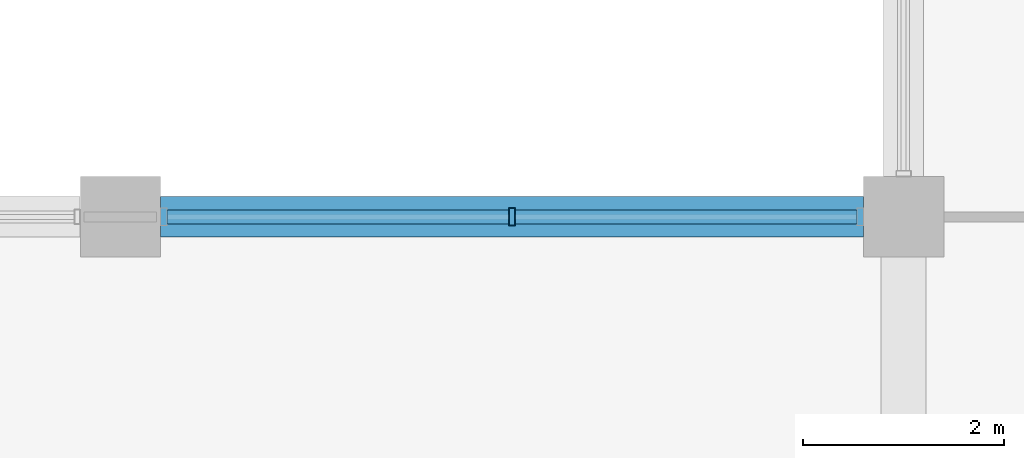
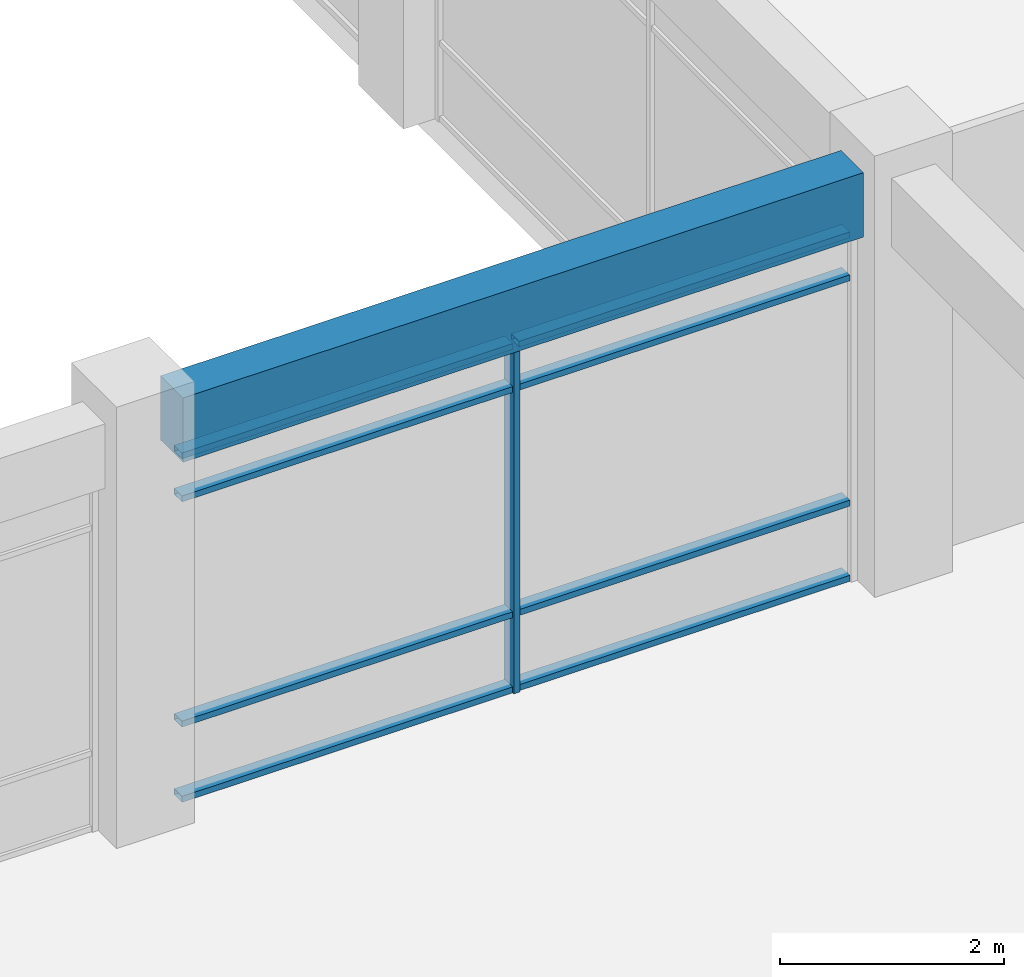
# One storey, part 14 of 62: 9 members, 1 beam, 1 element without a shape of its own.
"""IFC4 building model written with IfcOpenShell, lengths in metres."""

from ifc_helpers import new_model, si_unit, direction, frame, origin, origin_2d, place, context, subcontext, project, spatial, rectangle, hollow_rectangle, extrude, material, material_profile, profile_set, type_object, element, aggregate, save


model = new_model("IFC4")

# Units and contexts
model_context = context("Model", 3, precision=1e-05, world=origin(), true_north=direction((0.0, 1.0)))
body_context = subcontext(model_context, "Body", "Model", "MODEL_VIEW")
ifc_project = project(units=[si_unit("LENGTHUNIT", "METRE"), si_unit("AREAUNIT", "SQUARE_METRE"), si_unit("VOLUMEUNIT", "CUBIC_METRE"), si_unit("PLANEANGLEUNIT", "RADIAN"), si_unit("MASSUNIT", "GRAM", prefix="KILO"), si_unit("THERMODYNAMICTEMPERATUREUNIT", "KELVIN"), si_unit("POWERUNIT", "WATT")], contexts=[model_context])

# Site, building, storey
site_placement = place(None, origin())
site = spatial("IfcSite", under=ifc_project, at=site_placement, CompositionType="ELEMENT")
building_placement = place(site_placement, origin())
building = spatial("IfcBuilding", under=site, at=building_placement, Name="Srebrne Nadtorze General Hospital", CompositionType="ELEMENT")
storey_placement = place(building_placement, frame((0.0, 0.0, 9.60009765625)))
storey = spatial("IfcBuildingStorey", under=building, at=storey_placement, Name="L02", CompositionType="ELEMENT", Elevation=9.60009765625)

# Curtain wall, members
ifc_material_1 = material(Name="Anodised Aluminium", Category="aluminium")
curtain_wall_type = type_object("IfcCurtainWallType", Name="Unitised curtain wall 7000x3800", PredefinedType="NOTDEFINED", material=ifc_material_1)
curtain_wall_placement = place(storey_placement, origin())
curtain_wall = element("IfcCurtainWall", 1, at=curtain_wall_placement, inside=storey, type_object=curtain_wall_type, Name="Curtain wall CW-073", PredefinedType="NOTDEFINED")
ifc_material_2 = material(Name="Anodised Aluminium", Category="aluminium")
ifc_material_profile_1 = material_profile(ifc_material_2, hollow_rectangle(XDim=0.06494140625, YDim=0.179931640625, WallThickness=0.00390625, at=origin_2d()), Name="AL-MUL-65x180")
ifc_profile_set_1 = profile_set([ifc_material_profile_1], Name="Anodised Aluminium")
member_type_1 = type_object("IfcMemberType", Name="Curtain mullion 65x180", PredefinedType="MULLION", material=ifc_profile_set_1)
member_1_placement = place(storey_placement, frame((128.699951171875, 8.39990234375, 0.0), z_axis=(0.0, 0.0, 1.0), x_axis=(1.0, 0.0, 0.0)))
member_1 = element("IfcMember", 2, at=member_1_placement, type_object=member_type_1, Name="CW-073 mullion 2", PredefinedType="MULLION", context=body_context, shape_type="SweptSolid", body=[
    extrude(hollow_rectangle(XDim=0.06494140625, YDim=0.179931640625, WallThickness=0.00390625, at=origin_2d()), origin(), (0.0, 0.0, 1.0), 3.7998046875),
])
ifc_material_3 = material(Name="Anodised Aluminium", Category="aluminium")
ifc_material_profile_2 = material_profile(ifc_material_3, hollow_rectangle(XDim=0.06494140625, YDim=0.139892578125, WallThickness=0.00390625, at=origin_2d()), Name="AL-TRN-65x140")
ifc_profile_set_2 = profile_set([ifc_material_profile_2], Name="Anodised Aluminium")
member_type_2 = type_object("IfcMemberType", Name="Curtain transom 65x140", PredefinedType="USERDEFINED", material=ifc_profile_set_2)
member_2_placement = place(storey_placement, frame((125.264892578125, 8.39990234375, 0.032470703125), z_axis=(1.0, 0.0, 0.0), x_axis=(0.0, 0.0, 1.0)))
member_2 = element("IfcMember", 3, at=member_2_placement, type_object=member_type_2, Name="CW-073 transom 1.1", ObjectType="TRANSOM", PredefinedType="USERDEFINED", context=body_context, shape_type="SweptSolid", body=[
    extrude(hollow_rectangle(XDim=0.06494140625, YDim=0.139892578125, WallThickness=0.00390625, at=origin_2d()), origin(), (0.0, 0.0, 1.0), 3.402587890625),
])
member_3_placement = place(storey_placement, frame((125.264892578125, 8.39990234375, 0.849853515625), z_axis=(1.0, 0.0, 0.0), x_axis=(0.0, 0.0, 1.0)))
member_3 = element("IfcMember", 4, at=member_3_placement, type_object=member_type_2, Name="CW-073 transom 1.2", ObjectType="TRANSOM", PredefinedType="USERDEFINED", context=body_context, shape_type="SweptSolid", body=[
    extrude(hollow_rectangle(XDim=0.06494140625, YDim=0.139892578125, WallThickness=0.00390625, at=origin_2d()), origin(), (0.0, 0.0, 1.0), 3.402587890625),
])
member_4_placement = place(storey_placement, frame((125.264892578125, 8.39990234375, 3.2998046875), z_axis=(1.0, 0.0, 0.0), x_axis=(0.0, 0.0, 1.0)))
member_4 = element("IfcMember", 5, at=member_4_placement, type_object=member_type_2, Name="CW-073 transom 1.3", ObjectType="TRANSOM", PredefinedType="USERDEFINED", context=body_context, shape_type="SweptSolid", body=[
    extrude(hollow_rectangle(XDim=0.06494140625, YDim=0.139892578125, WallThickness=0.00390625, at=origin_2d()), origin(), (0.0, 0.0, 1.0), 3.402587890625),
])
member_5_placement = place(storey_placement, frame((125.264892578125, 8.39990234375, 3.767333984375), z_axis=(1.0, 0.0, 0.0), x_axis=(0.0, 0.0, 1.0)))
member_5 = element("IfcMember", 6, at=member_5_placement, type_object=member_type_2, Name="CW-073 transom 1.4", ObjectType="TRANSOM", PredefinedType="USERDEFINED", context=body_context, shape_type="SweptSolid", body=[
    extrude(hollow_rectangle(XDim=0.06494140625, YDim=0.139892578125, WallThickness=0.00390625, at=origin_2d()), origin(), (0.0, 0.0, 1.0), 3.402587890625),
])
member_6_placement = place(storey_placement, frame((128.732421875, 8.39990234375, 0.032470703125), z_axis=(1.0, 0.0, 0.0), x_axis=(0.0, 0.0, 1.0)))
member_6 = element("IfcMember", 7, at=member_6_placement, type_object=member_type_2, Name="CW-073 transom 2.1", ObjectType="TRANSOM", PredefinedType="USERDEFINED", context=body_context, shape_type="SweptSolid", body=[
    extrude(hollow_rectangle(XDim=0.06494140625, YDim=0.139892578125, WallThickness=0.00390625, at=origin_2d()), origin(), (0.0, 0.0, 1.0), 3.402587890625),
])
member_7_placement = place(storey_placement, frame((128.732421875, 8.39990234375, 0.849853515625), z_axis=(1.0, 0.0, 0.0), x_axis=(0.0, 0.0, 1.0)))
member_7 = element("IfcMember", 8, at=member_7_placement, type_object=member_type_2, Name="CW-073 transom 2.2", ObjectType="TRANSOM", PredefinedType="USERDEFINED", context=body_context, shape_type="SweptSolid", body=[
    extrude(hollow_rectangle(XDim=0.06494140625, YDim=0.139892578125, WallThickness=0.00390625, at=origin_2d()), origin(), (0.0, 0.0, 1.0), 3.402587890625),
])
member_8_placement = place(storey_placement, frame((128.732421875, 8.39990234375, 3.2998046875), z_axis=(1.0, 0.0, 0.0), x_axis=(0.0, 0.0, 1.0)))
member_8 = element("IfcMember", 9, at=member_8_placement, type_object=member_type_2, Name="CW-073 transom 2.3", ObjectType="TRANSOM", PredefinedType="USERDEFINED", context=body_context, shape_type="SweptSolid", body=[
    extrude(hollow_rectangle(XDim=0.06494140625, YDim=0.139892578125, WallThickness=0.00390625, at=origin_2d()), origin(), (0.0, 0.0, 1.0), 3.402587890625),
])
member_9_placement = place(storey_placement, frame((128.732421875, 8.39990234375, 3.767333984375), z_axis=(1.0, 0.0, 0.0), x_axis=(0.0, 0.0, 1.0)))
member_9 = element("IfcMember", 10, at=member_9_placement, type_object=member_type_2, Name="CW-073 transom 2.4", ObjectType="TRANSOM", PredefinedType="USERDEFINED", context=body_context, shape_type="SweptSolid", body=[
    extrude(hollow_rectangle(XDim=0.06494140625, YDim=0.139892578125, WallThickness=0.00390625, at=origin_2d()), origin(), (0.0, 0.0, 1.0), 3.402587890625),
])
aggregate(curtain_wall, [member_1, member_2, member_3, member_4, member_5, member_6, member_7, member_8, member_9])

# Beam
ifc_material_4 = material(Name="Concrete C40/50", Category="concrete")
ifc_material_profile_3 = material_profile(ifc_material_4, rectangle(XDim=0.39990234375, YDim=0.699951171875, at=origin_2d()), Name="RC-BM-400x700")
ifc_profile_set_3 = profile_set([ifc_material_profile_3], Name="Concrete C40/50")
beam_type = type_object("IfcBeamType", Name="Edge beam RC 400x700", PredefinedType="BEAM", material=ifc_profile_set_3)
beam_placement = place(storey_placement, frame((125.199951171875, 8.39990234375, 4.14990234375), z_axis=(1.0, 0.0, 0.0), x_axis=(0.0, 1.0, 0.0)))
element("IfcBeam", 11, at=beam_placement, inside=storey, type_object=beam_type, Name="Beam BM-L02-X-0564", PredefinedType="BEAM", context=body_context, shape_type="SweptSolid", body=[
    extrude(rectangle(XDim=0.39990234375, YDim=0.699951171875, at=origin_2d()), origin(), (0.0, 0.0, 1.0), 7.0),
])

save(model, "model.ifc")
